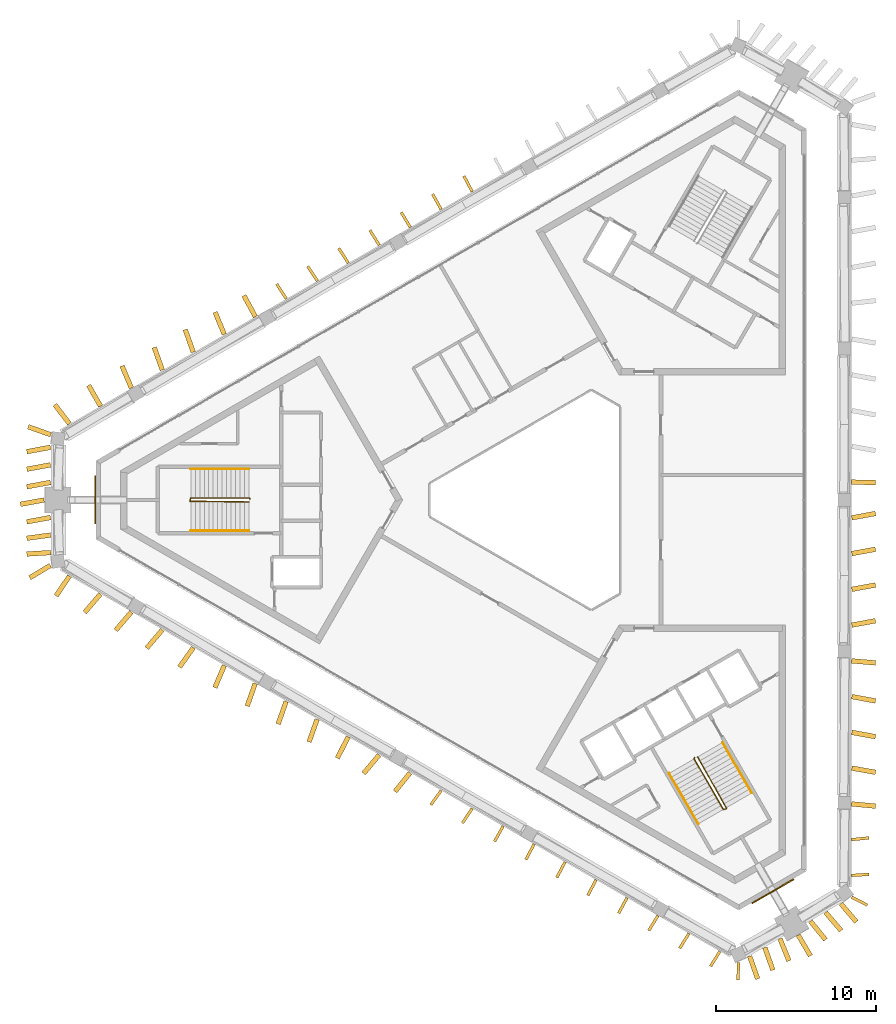
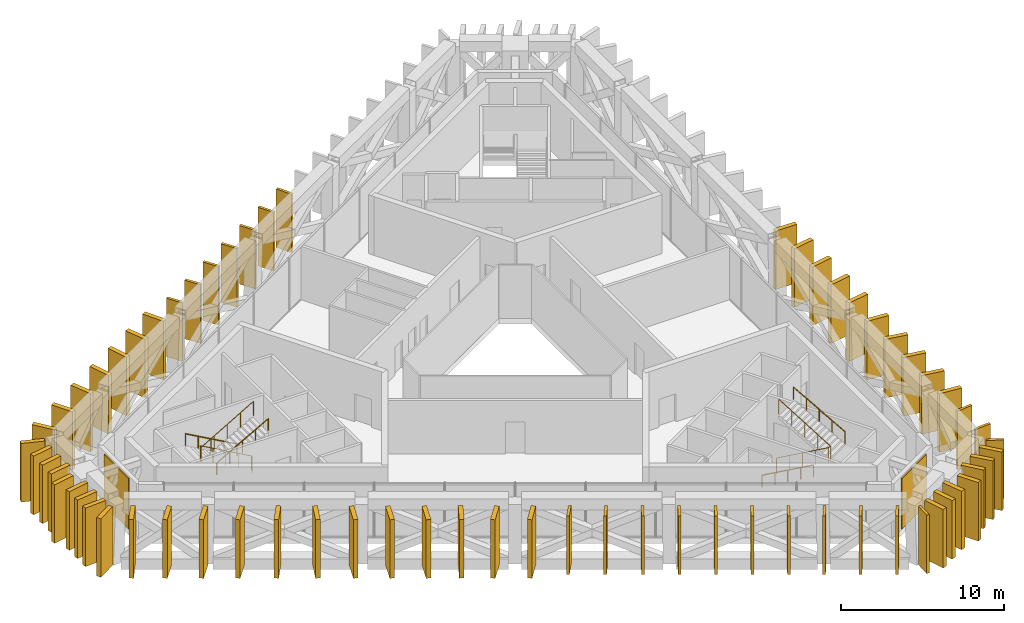
# One storey, part 11 of 12: 66 shading devices, 6 railings, 2 coverings.
"""IFC4 building model written with IfcOpenShell, lengths in metres."""

from ifc_helpers import new_model, si_unit, direction, frame, frame_2d, origin, origin_2d, place, context, subcontext, project, spatial, rectangle, circle, extrude, material, layer, layer_set, type_object, element, save


model = new_model("IFC4")

# Units and contexts
model_context = context("Model", 3, precision=1e-05, world=origin(), true_north=direction((0.0, 1.0)))
body_context = subcontext(model_context, "Body", "Model", "MODEL_VIEW")
ifc_project = project(units=[si_unit("LENGTHUNIT", "METRE"), si_unit("AREAUNIT", "SQUARE_METRE"), si_unit("VOLUMEUNIT", "CUBIC_METRE"), si_unit("PLANEANGLEUNIT", "RADIAN"), si_unit("MASSUNIT", "GRAM", prefix="KILO")], contexts=[model_context])

# Site, building, storey
site_placement = place(None, origin())
site = spatial("IfcSite", under=ifc_project, at=site_placement, CompositionType="ELEMENT")
building_placement = place(site_placement, origin())
building = spatial("IfcBuilding", under=site, at=building_placement, Name="Jabali Bay Hotel Tower and Convention Centre", CompositionType="ELEMENT")
storey_placement = place(building_placement, frame((0.0, 0.0, 300.39990234375)))
storey = spatial("IfcBuildingStorey", under=building, at=storey_placement, Name="L74", CompositionType="ELEMENT", Elevation=300.39990234375)

# Shading devices
ifc_material_1 = material(Name="Precast concrete C60", Category="concrete")
ifc_layer_1 = layer(ifc_material_1, 0.179931640625)
ifc_layer_set_1 = layer_set([ifc_layer_1], Name="Precast concrete C60")
shading_device_type_1 = type_object("IfcShadingDeviceType", Name="Precast fin 4380 x 1100", PredefinedType="USERDEFINED", material=ifc_layer_set_1)
for number, where, z_axis, x_axis, name in (
    (1, (93.99609375, 56.577880859375, 0.010009765625), (0.0, 0.0, 1.0), (0.99826901194, 0.058813092077, 0.0), "Fin L74 000"),
    (2, (94.0, 58.80859375, 0.010009765625), (0.0, 0.0, 1.0), (0.994911154458, 0.100756115129, 0.0), "Fin L74 001"),
    (3, (70.33251953125, 99.23779296875, 0.010009765625), (0.0, 0.0, 1.0), (-0.467867325032, 0.883798713604, 0.0), "Fin L74 037"),
):
    element("IfcShadingDevice", number, at=place(storey_placement, frame(where, z_axis=z_axis, x_axis=x_axis)), inside=storey, type_object=shading_device_type_1, Name=name, ObjectType="FIN", PredefinedType="USERDEFINED", context=body_context, shape_type="SweptSolid", body=[
        extrude(rectangle(XDim=1.10009765625, YDim=0.179931640625, at=frame_2d((0.550048828125, 0.0))), origin(), (0.0, 0.0, 1.0), 4.380126953125),
    ])
shading_device_1_placement = place(storey_placement, frame((68.401611328125, 98.12060546875, 0.010009765625), z_axis=(0.0, 0.0, 1.0), x_axis=(-0.488975058129, 0.872297765977, 0.0)))
element("IfcShadingDevice", 4, at=shading_device_1_placement, inside=storey, type_object=shading_device_type_1, Name="Fin L74 038", ObjectType="FIN", PredefinedType="USERDEFINED", context=body_context, shape_type="SweptSolid", body=[
    extrude(rectangle(XDim=1.099853515625, YDim=0.179931640625, at=frame_2d((0.5498046875, 0.0))), origin(), (0.0, 0.0, 1.0), 4.380126953125),
])
shading_device_2_placement = place(storey_placement, frame((66.4697265625, 97.00537109375, 0.010009765625), z_axis=(0.0, 0.0, 1.0), x_axis=(-0.512470707752, 0.858704706926, 0.0)))
element("IfcShadingDevice", 5, at=shading_device_2_placement, inside=storey, type_object=shading_device_type_1, Name="Fin L74 039", ObjectType="FIN", PredefinedType="USERDEFINED", context=body_context, shape_type="SweptSolid", body=[
    extrude(rectangle(XDim=1.10009765625, YDim=0.179931640625, at=frame_2d((0.550048828125, 0.0))), origin(), (0.0, 0.0, 1.0), 4.380126953125),
])
shading_device_3_placement = place(storey_placement, frame((64.537109375, 95.891845703125, 0.010009765625), z_axis=(0.0, 0.0, 1.0), x_axis=(-0.531175621664, 0.847261741701, 0.0)))
element("IfcShadingDevice", 6, at=shading_device_3_placement, inside=storey, type_object=shading_device_type_1, Name="Fin L74 040", ObjectType="FIN", PredefinedType="USERDEFINED", context=body_context, shape_type="SweptSolid", body=[
    extrude(rectangle(XDim=1.099853515625, YDim=0.179931640625, at=frame_2d((0.5498046875, 0.0))), origin(), (0.0, 0.0, 1.0), 4.380126953125),
])
for number, where, z_axis, x_axis, name in (
    (7, (62.604736328125, 94.777099609375, 0.010009765625), (0.0, 0.0, 1.0), (-0.539085185418, 0.842251246875, 0.0), "Fin L74 041"),
    (8, (60.672119140625, 93.6630859375, 0.010009765625), (0.0, 0.0, 1.0), (-0.553726719201, 0.832698457091, 0.0), "Fin L74 042"),
):
    element("IfcShadingDevice", number, at=place(storey_placement, frame(where, z_axis=z_axis, x_axis=x_axis)), inside=storey, type_object=shading_device_type_1, Name=name, ObjectType="FIN", PredefinedType="USERDEFINED", context=body_context, shape_type="SweptSolid", body=[
        extrude(rectangle(XDim=1.10009765625, YDim=0.179931640625, at=frame_2d((0.550048828125, 0.0))), origin(), (0.0, 0.0, 1.0), 4.380126953125),
    ])
for number, where, z_axis, x_axis, name in (
    (9, (58.74072265625, 92.547119140625, 0.010009765625), (0.0, 0.0, 1.0), (-0.545136576236, 0.838347250994, 0.0), "Fin L74 043"),
    (10, (68.397705078125, 61.87255859375, 0.010009765625), (0.0, 0.0, 1.0), (-0.584404121175, -0.811462767571, 0.0), "Fin L74 070"),
):
    element("IfcShadingDevice", number, at=place(storey_placement, frame(where, z_axis=z_axis, x_axis=x_axis)), inside=storey, type_object=shading_device_type_1, Name=name, ObjectType="FIN", PredefinedType="USERDEFINED", context=body_context, shape_type="SweptSolid", body=[
        extrude(rectangle(XDim=1.099853515625, YDim=0.179931640625, at=frame_2d((0.5498046875, 0.0))), origin(), (0.0, 0.0, 1.0), 4.380126953125),
    ])
shading_device_4_placement = place(storey_placement, frame((70.33154296875, 60.760498046875, 0.010009765625), z_axis=(0.0, 0.0, 1.0), x_axis=(-0.549979241991, -0.835178324299, 0.0)))
element("IfcShadingDevice", 11, at=shading_device_4_placement, inside=storey, type_object=shading_device_type_1, Name="Fin L74 071", ObjectType="FIN", PredefinedType="USERDEFINED", context=body_context, shape_type="SweptSolid", body=[
    extrude(rectangle(XDim=1.10009765625, YDim=0.179931640625, at=frame_2d((0.550048828125, 0.0))), origin(), (0.0, 0.0, 1.0), 4.380126953125),
])
for number, where, z_axis, x_axis, name in (
    (12, (72.265625, 59.64892578125, 0.010009765625), (0.0, 0.0, 1.0), (-0.492525269332, -0.870298143781, 0.0), "Fin L74 072"),
    (13, (74.196044921875, 58.53125, 0.010009765625), (0.0, 0.0, 1.0), (-0.466377581753, -0.884585751207, 0.0), "Fin L74 073"),
    (14, (76.1279296875, 57.416015625, 0.010009765625), (0.0, 0.0, 1.0), (-0.467428758702, -0.884030743548, 0.0), "Fin L74 074"),
):
    element("IfcShadingDevice", number, at=place(storey_placement, frame(where, z_axis=z_axis, x_axis=x_axis)), inside=storey, type_object=shading_device_type_1, Name=name, ObjectType="FIN", PredefinedType="USERDEFINED", context=body_context, shape_type="SweptSolid", body=[
        extrude(rectangle(XDim=1.099853515625, YDim=0.179931640625, at=frame_2d((0.5498046875, 0.0))), origin(), (0.0, 0.0, 1.0), 4.380126953125),
    ])
for number, where, z_axis, x_axis, name in (
    (15, (78.059814453125, 56.30078125, 0.010009765625), (0.0, 0.0, 1.0), (-0.467867325032, -0.883798713604, 0.0), "Fin L74 075"),
    (16, (79.991943359375, 55.185791015625, 0.010009765625), (0.0, 0.0, 1.0), (-0.472246045686, -0.881466773244, 0.0), "Fin L74 076"),
):
    element("IfcShadingDevice", number, at=place(storey_placement, frame(where, z_axis=z_axis, x_axis=x_axis)), inside=storey, type_object=shading_device_type_1, Name=name, ObjectType="FIN", PredefinedType="USERDEFINED", context=body_context, shape_type="SweptSolid", body=[
        extrude(rectangle(XDim=1.10009765625, YDim=0.179931640625, at=frame_2d((0.550048828125, 0.0))), origin(), (0.0, 0.0, 1.0), 4.380126953125),
    ])
shading_device_5_placement = place(storey_placement, frame((81.923828125, 54.07080078125, 0.010009765625), z_axis=(0.0, 0.0, 1.0), x_axis=(-0.524060272161, -0.851681179281, 0.0)))
element("IfcShadingDevice", 17, at=shading_device_5_placement, inside=storey, type_object=shading_device_type_1, Name="Fin L74 077", ObjectType="FIN", PredefinedType="USERDEFINED", context=body_context, shape_type="SweptSolid", body=[
    extrude(rectangle(XDim=1.099853515625, YDim=0.179931640625, at=frame_2d((0.5498046875, 0.0))), origin(), (0.0, 0.0, 1.0), 4.380126953125),
])
shading_device_6_placement = place(storey_placement, frame((83.855224609375, 52.954833984375, 0.010009765625), z_axis=(0.0, 0.0, 1.0), x_axis=(-0.531334935618, -0.847161841794, 0.0)))
element("IfcShadingDevice", 18, at=shading_device_6_placement, inside=storey, type_object=shading_device_type_1, Name="Fin L74 078", ObjectType="FIN", PredefinedType="USERDEFINED", context=body_context, shape_type="SweptSolid", body=[
    extrude(rectangle(XDim=1.10009765625, YDim=0.179931640625, at=frame_2d((0.550048828125, 0.0))), origin(), (0.0, 0.0, 1.0), 4.380126953125),
])
shading_device_7_placement = place(storey_placement, frame((85.787109375, 51.83935546875, 0.010009765625), z_axis=(0.0, 0.0, 1.0), x_axis=(-0.531434853814, -0.847099165477, 0.0)))
element("IfcShadingDevice", 19, at=shading_device_7_placement, inside=storey, type_object=shading_device_type_1, Name="Fin L74 079", ObjectType="FIN", PredefinedType="USERDEFINED", context=body_context, shape_type="SweptSolid", body=[
    extrude(rectangle(XDim=1.099853515625, YDim=0.179931640625, at=frame_2d((0.5498046875, 0.0))), origin(), (0.0, 0.0, 1.0), 4.380126953125),
])
shading_device_8_placement = place(storey_placement, frame((94.003173828125, 55.224365234375, 0.010009765625), z_axis=(0.0, 0.0, 1.0), x_axis=(0.889354850693, -0.457217617277, 0.0)))
element("IfcShadingDevice", 20, at=shading_device_8_placement, inside=storey, type_object=shading_device_type_1, Name="Fin L74 087", ObjectType="FIN", PredefinedType="USERDEFINED", context=body_context, shape_type="SweptSolid", body=[
    extrude(rectangle(XDim=1.10009765625, YDim=0.179931640625, at=frame_2d((0.550048828125, 0.0))), origin(), (0.0, 0.0, 1.0), 4.380126953125),
])
shading_device_9_placement = place(storey_placement, frame((86.95458984375, 51.156005859375, 0.010009765625), z_axis=(0.0, 0.0, 1.0), x_axis=(-0.036625787067, -0.999329050774, 0.0)))
element("IfcShadingDevice", 21, at=shading_device_9_placement, inside=storey, type_object=shading_device_type_1, Name="Fin L74 092", ObjectType="FIN", PredefinedType="USERDEFINED", context=body_context, shape_type="SweptSolid", body=[
    extrude(rectangle(XDim=1.099853515625, YDim=0.179931640625, at=frame_2d((0.5498046875, 0.0))), origin(), (0.0, 0.0, 1.0), 4.380126953125),
])
ifc_layer_2 = layer(ifc_material_1, 0.300048828125)
ifc_layer_set_2 = layer_set([ifc_layer_2], Name="Precast concrete C60")
shading_device_type_2 = type_object("IfcShadingDeviceType", Name="Precast fin 4380 x 1500", PredefinedType="USERDEFINED", material=ifc_layer_set_2)
for number, where, z_axis, x_axis, name in (
    (22, (94.0048828125, 61.039306640625, 0.010009765625), (0.0, 0.0, 1.0), (0.995550165952, -0.094233046606, 0.0), "Fin L74 002"),
    (23, (94.01708984375, 63.269775390625, 0.010009765625), (0.0, 0.0, 1.0), (0.984773725345, -0.173841047714, 0.0), "Fin L74 003"),
    (24, (94.017822265625, 65.50048828125, 0.010009765625), (0.0, 0.0, 1.0), (0.983781242745, -0.17937242381, 0.0), "Fin L74 004"),
    (25, (94.01806640625, 67.731201171875, 0.010009765625), (0.0, 0.0, 1.0), (0.983574304082, -0.180503707302, 0.0), "Fin L74 005"),
    (26, (94.003662109375, 69.9619140625, 0.010009765625), (0.0, 0.0, 1.0), (0.996343087239, -0.085442685528, 0.0), "Fin L74 006"),
    (27, (94.01806640625, 72.192626953125, 0.010009765625), (0.0, 0.0, 1.0), (0.98351646372, 0.180818598576, 0.0), "Fin L74 007"),
    (28, (94.01806640625, 74.42333984375, 0.010009765625), (0.0, 0.0, 1.0), (0.98351646372, 0.180818598576, 0.0), "Fin L74 008"),
    (29, (94.01806640625, 76.654052734375, 0.010009765625), (0.0, 0.0, 1.0), (0.983545395653, 0.180661159883, 0.0), "Fin L74 009"),
    (30, (94.01806640625, 78.884765625, 0.010009765625), (0.0, 0.0, 1.0), (0.983545395653, 0.180661159883, 0.0), "Fin L74 010"),
    (31, (93.993896484375, 81.115234375, 0.010009765625), (0.0, 0.0, 1.0), (0.999786362628, -0.02066952109, 0.0), "Fin L74 011"),
    (32, (56.809326171875, 91.43115234375, 0.010009765625), (0.0, 0.0, 1.0), (-0.47639849649, 0.879229476611, 0.0), "Fin L74 044"),
    (33, (54.86962890625, 90.3291015625, 0.010009765625), (0.0, 0.0, 1.0), (-0.382811769845, 0.923826362943, 0.0), "Fin L74 045"),
    (34, (52.93408203125, 89.22021484375, 0.010009765625), (0.0, 0.0, 1.0), (-0.33593425625, 0.941885436493, 0.0), "Fin L74 046"),
    (35, (51.002197265625, 88.10498046875, 0.010009765625), (0.0, 0.0, 1.0), (-0.335305076677, 0.942109603791, 0.0), "Fin L74 047"),
):
    element("IfcShadingDevice", number, at=place(storey_placement, frame(where, z_axis=z_axis, x_axis=x_axis)), inside=storey, type_object=shading_device_type_2, Name=name, ObjectType="FIN", PredefinedType="USERDEFINED", context=body_context, shape_type="SweptSolid", body=[
        extrude(rectangle(XDim=1.5, YDim=0.300048828125, at=frame_2d((0.75, 0.0))), origin(), (0.0, 0.0, 1.0), 4.380126953125),
    ])
shading_device_10_placement = place(storey_placement, frame((49.074951171875, 86.98193359375, 0.010009765625), z_axis=(0.0, 0.0, 1.0), x_axis=(-0.390754631965, 0.920494876465, 0.0)))
element("IfcShadingDevice", 36, at=shading_device_10_placement, inside=storey, type_object=shading_device_type_2, Name="Fin L74 048", ObjectType="FIN", PredefinedType="USERDEFINED", context=body_context, shape_type="SweptSolid", body=[
    extrude(rectangle(XDim=1.500244140625, YDim=0.300048828125, at=frame_2d((0.75, 0.0))), origin(), (0.0, 0.0, 1.0), 4.380126953125),
])
for number, where, z_axis, x_axis, name in (
    (37, (47.152099609375, 85.85107421875, 0.010009765625), (0.0, 0.0, 1.0), (-0.498731046508, 0.866756795906, 0.0), "Fin L74 049"),
    (38, (45.210693359375, 84.75244140625, 0.010009765625), (0.0, 0.0, 1.0), (-0.608585300791, 0.793488457169, 0.0), "Fin L74 050"),
    (39, (44.02734375, 83.2841796875, 0.010009765625), (0.0, 0.0, 1.0), (-0.98351646372, -0.180818598576, 0.0), "Fin L74 051"),
    (40, (44.02734375, 82.189453125, 0.010009765625), (0.0, 0.0, 1.0), (-0.98351646372, -0.180818598576, 0.0), "Fin L74 052"),
    (41, (44.02734375, 81.0947265625, 0.010009765625), (0.0, 0.0, 1.0), (-0.98351646372, -0.180818598576, 0.0), "Fin L74 053"),
    (42, (43.6279296875, 80.0, 0.010009765625), (0.0, 0.0, 1.0), (-0.98351646372, -0.180818598576, 0.0), "Fin L74 054"),
    (43, (44.02734375, 78.9052734375, 0.010009765625), (0.0, 0.0, 1.0), (-0.98351646372, -0.180818598576, 0.0), "Fin L74 055"),
    (44, (44.034423828125, 77.810546875, 0.010009765625), (0.0, 0.0, 1.0), (-0.991032083889, -0.133624132185, 0.0), "Fin L74 056"),
    (45, (44.045654296875, 76.7158203125, 0.010009765625), (0.0, 0.0, 1.0), (-0.998262566341, -0.058922395078, 0.0), "Fin L74 057"),
    (46, (45.215087890625, 75.25537109375, 0.010009765625), (0.0, 0.0, 1.0), (-0.559573484767, -0.828780740091, 0.0), "Fin L74 058"),
):
    element("IfcShadingDevice", number, at=place(storey_placement, frame(where, z_axis=z_axis, x_axis=x_axis)), inside=storey, type_object=shading_device_type_2, Name=name, ObjectType="FIN", PredefinedType="USERDEFINED", context=body_context, shape_type="SweptSolid", body=[
        extrude(rectangle(XDim=1.5, YDim=0.300048828125, at=frame_2d((0.75, 0.0))), origin(), (0.0, 0.0, 1.0), 4.380126953125),
    ])
shading_device_11_placement = place(storey_placement, frame((47.138671875, 74.125732421875, 0.010009765625), z_axis=(0.0, 0.0, 1.0), x_axis=(-0.64837563468, -0.761320587107, 0.0)))
element("IfcShadingDevice", 47, at=shading_device_11_placement, inside=storey, type_object=shading_device_type_2, Name="Fin L74 059", ObjectType="FIN", PredefinedType="USERDEFINED", context=body_context, shape_type="SweptSolid", body=[
    extrude(rectangle(XDim=1.500244140625, YDim=0.300048828125, at=frame_2d((0.75, 0.0))), origin(), (0.0, 0.0, 1.0), 4.380126953125),
])
for number, where, z_axis, x_axis, name in (
    (48, (49.070556640625, 73.010498046875, 0.010009765625), (0.0, 0.0, 1.0), (-0.648281291341, -0.761400924151, 0.0), "Fin L74 060"),
    (49, (51.002197265625, 71.89501953125, 0.010009765625), (0.0, 0.0, 1.0), (-0.648281291341, -0.761400924151, 0.0), "Fin L74 061"),
    (50, (52.940673828125, 70.791015625, 0.010009765625), (0.0, 0.0, 1.0), (-0.578139266527, -0.815938103351, 0.0), "Fin L74 062"),
):
    element("IfcShadingDevice", number, at=place(storey_placement, frame(where, z_axis=z_axis, x_axis=x_axis)), inside=storey, type_object=shading_device_type_2, Name=name, ObjectType="FIN", PredefinedType="USERDEFINED", context=body_context, shape_type="SweptSolid", body=[
        extrude(rectangle(XDim=1.5, YDim=0.300048828125, at=frame_2d((0.75, 0.0))), origin(), (0.0, 0.0, 1.0), 4.380126953125),
    ])
shading_device_12_placement = place(storey_placement, frame((54.870361328125, 69.671875, 0.010009765625), z_axis=(0.0, 0.0, 1.0), x_axis=(-0.391009650014, -0.920386578344, 0.0)))
element("IfcShadingDevice", 51, at=shading_device_12_placement, inside=storey, type_object=shading_device_type_2, Name="Fin L74 063", ObjectType="FIN", PredefinedType="USERDEFINED", context=body_context, shape_type="SweptSolid", body=[
    extrude(rectangle(XDim=1.499755859375, YDim=0.300048828125, at=frame_2d((0.75, 0.0))), origin(), (0.0, 0.0, 1.0), 4.380126953125),
])
shading_device_13_placement = place(storey_placement, frame((56.7978515625, 68.549072265625, 0.010009765625), z_axis=(0.0, 0.0, 1.0), x_axis=(-0.335253666146, -0.94212789967, 0.0)))
element("IfcShadingDevice", 52, at=shading_device_13_placement, inside=storey, type_object=shading_device_type_2, Name="Fin L74 064", ObjectType="FIN", PredefinedType="USERDEFINED", context=body_context, shape_type="SweptSolid", body=[
    extrude(rectangle(XDim=1.500244140625, YDim=0.300048828125, at=frame_2d((0.75, 0.0))), origin(), (0.0, 0.0, 1.0), 4.380126953125),
])
shading_device_14_placement = place(storey_placement, frame((58.7294921875, 67.43359375, 0.010009765625), z_axis=(0.0, 0.0, 1.0), x_axis=(-0.335160595484, -0.942161013434, 0.0)))
element("IfcShadingDevice", 53, at=shading_device_14_placement, inside=storey, type_object=shading_device_type_2, Name="Fin L74 065", ObjectType="FIN", PredefinedType="USERDEFINED", context=body_context, shape_type="SweptSolid", body=[
    extrude(rectangle(XDim=1.499755859375, YDim=0.300048828125, at=frame_2d((0.75, 0.0))), origin(), (0.0, 0.0, 1.0), 4.380126953125),
])
for number, where, z_axis, x_axis, name in (
    (54, (60.661376953125, 66.318359375, 0.010009765625), (0.0, 0.0, 1.0), (-0.335449534217, -0.942058177606, 0.0), "Fin L74 066"),
    (55, (62.603271484375, 65.220458984375, 0.010009765625), (0.0, 0.0, 1.0), (-0.45999405328, -0.887921995981, 0.0), "Fin L74 067"),
):
    element("IfcShadingDevice", number, at=place(storey_placement, frame(where, z_axis=z_axis, x_axis=x_axis)), inside=storey, type_object=shading_device_type_2, Name=name, ObjectType="FIN", PredefinedType="USERDEFINED", context=body_context, shape_type="SweptSolid", body=[
        extrude(rectangle(XDim=1.5, YDim=0.300048828125, at=frame_2d((0.75, 0.0))), origin(), (0.0, 0.0, 1.0), 4.380126953125),
    ])
shading_device_15_placement = place(storey_placement, frame((64.525634765625, 64.088623046875, 0.010009765625), z_axis=(0.0, 0.0, 1.0), x_axis=(-0.642821801336, -0.766015751618, 0.0)))
element("IfcShadingDevice", 56, at=shading_device_15_placement, inside=storey, type_object=shading_device_type_2, Name="Fin L74 068", ObjectType="FIN", PredefinedType="USERDEFINED", context=body_context, shape_type="SweptSolid", body=[
    extrude(rectangle(XDim=1.500244140625, YDim=0.300048828125, at=frame_2d((0.75, 0.0))), origin(), (0.0, 0.0, 1.0), 4.380126953125),
])
shading_device_16_placement = place(storey_placement, frame((66.459228515625, 62.97607421875, 0.010009765625), z_axis=(0.0, 0.0, 1.0), x_axis=(-0.625012583583, -0.780614674704, 0.0)))
element("IfcShadingDevice", 57, at=shading_device_16_placement, inside=storey, type_object=shading_device_type_2, Name="Fin L74 069", ObjectType="FIN", PredefinedType="USERDEFINED", context=body_context, shape_type="SweptSolid", body=[
    extrude(rectangle(XDim=1.5, YDim=0.300048828125, at=frame_2d((0.75, 0.0))), origin(), (0.0, 0.0, 1.0), 4.380126953125),
])
shading_device_17_placement = place(storey_placement, frame((87.64208984375, 51.534912109375, 0.010009765625), z_axis=(0.0, 0.0, 1.0), x_axis=(0.335253666146, -0.94212789967, 0.0)))
element("IfcShadingDevice", 58, at=shading_device_17_placement, inside=storey, type_object=shading_device_type_2, Name="Fin L74 080", ObjectType="FIN", PredefinedType="USERDEFINED", context=body_context, shape_type="SweptSolid", body=[
    extrude(rectangle(XDim=1.500244140625, YDim=0.300048828125, at=frame_2d((0.75, 0.0))), origin(), (0.0, 0.0, 1.0), 4.380126953125),
])
for number, where, z_axis, x_axis, name in (
    (59, (88.59033203125, 52.082275390625, 0.010009765625), (0.0, 0.0, 1.0), (0.335109201498, -0.942179294546, 0.0), "Fin L74 081"),
    (60, (89.53515625, 52.634765625, 0.010009765625), (0.0, 0.0, 1.0), (0.373550544396, -0.927609826803, 0.0), "Fin L74 082"),
    (61, (90.673095703125, 52.853271484375, 0.010009765625), (0.0, 0.0, 1.0), (0.507489506623, -0.861657937158, 0.0), "Fin L74 083"),
    (62, (91.4326171875, 53.727294921875, 0.010009765625), (0.0, 0.0, 1.0), (0.629427638622, -0.777059101831, 0.0), "Fin L74 084"),
    (63, (92.38232421875, 54.271484375, 0.010009765625), (0.0, 0.0, 1.0), (0.648455975435, -0.76125215791, 0.0), "Fin L74 085"),
    (64, (93.330322265625, 54.81884765625, 0.010009765625), (0.0, 0.0, 1.0), (0.648455975435, -0.76125215791, 0.0), "Fin L74 086"),
):
    element("IfcShadingDevice", number, at=place(storey_placement, frame(where, z_axis=z_axis, x_axis=x_axis)), inside=storey, type_object=shading_device_type_2, Name=name, ObjectType="FIN", PredefinedType="USERDEFINED", context=body_context, shape_type="SweptSolid", body=[
        extrude(rectangle(XDim=1.5, YDim=0.300048828125, at=frame_2d((0.75, 0.0))), origin(), (0.0, 0.0, 1.0), 4.380126953125),
    ])
for number, where, z_axis, x_axis, name in (
    (65, (44.04833984375, 84.06591796875, 0.010009765625), (0.0, 0.0, 1.0), (-0.942161013434, 0.335160595484, 0.0), "Fin L74 090"),
    (66, (44.021728515625, 75.918701171875, 0.010009765625), (0.0, 0.0, 1.0), (-0.857176787658, -0.515022285634, 0.0), "Fin L74 091"),
):
    element("IfcShadingDevice", number, at=place(storey_placement, frame(where, z_axis=z_axis, x_axis=x_axis)), inside=storey, type_object=shading_device_type_2, Name=name, ObjectType="FIN", PredefinedType="USERDEFINED", context=body_context, shape_type="SweptSolid", body=[
        extrude(rectangle(XDim=1.499755859375, YDim=0.300048828125, at=frame_2d((0.75, 0.0))), origin(), (0.0, 0.0, 1.0), 4.380126953125),
    ])

# Coverings
ifc_material_2 = material(Name="Precast concrete C40/50", Category="concrete")
ifc_layer_3 = layer(ifc_material_2, 0.080078125)
ifc_layer_set_3 = layer_set([ifc_layer_3], Name="Precast concrete C40/50")
covering_type = type_object("IfcCoveringType", Name="Relief panel 3000 x 3800", PredefinedType="CLADDING", material=ifc_layer_set_3)
for number, where, z_axis, x_axis, name in (
    (67, (46.814453125, 80.0, 0.10009765625), (0.0, 0.0, 1.0), (0.0, 1.0, 0.0), "Relief panel L74"),
    (68, (89.0927734375, 55.590576171875, 0.10009765625), (0.0, 0.0, 1.0), (-0.866025424371, -0.499999964344, 0.0), "Relief panel L74"),
):
    element("IfcCovering", number, at=place(storey_placement, frame(where, z_axis=z_axis, x_axis=x_axis)), inside=storey, type_object=covering_type, Name=name, PredefinedType="CLADDING", context=body_context, shape_type="SweptSolid", body=[
        extrude(rectangle(XDim=3.0, YDim=0.080078125, at=origin_2d()), origin(), (0.0, 0.0, 1.0), 3.800048828125),
    ])

# Railings
ifc_material_3 = material(Name="Steel Q355B", Category="steel")
railing_type_1 = type_object("IfcRailingType", Name="Stair guard 1100", PredefinedType="GUARDRAIL", material=ifc_material_3)
railing_1_placement = place(storey_placement, frame((56.469970703125, 80.074951171875, 0.0)))
element("IfcRailing", 69, at=railing_1_placement, inside=storey, type_object=railing_type_1, Name="L74 ST1 stair guard 1", PredefinedType="GUARDRAIL", context=body_context, shape_type="SweptSolid", body=[
    extrude(circle(Radius=0.02392578125, at=origin_2d()), frame((0.0, 0.0, 1.076171875), z_axis=(-0.290266377826, 0.290266377826, 0.911861206439), x_axis=(-0.707106781187, -0.707106781187, 0.0)), (0.0, 0.0, 1.0), 0.17236328125),
    extrude(circle(Radius=0.02392578125, at=origin_2d()), frame((-0.050048828125, 0.050048828125, 1.2333984375), z_axis=(-0.872032840091, 0.0, 0.489447367756), x_axis=(0.0, -1.0, 0.0)), (0.0, 0.0, 1.0), 4.174072265625),
    extrude(circle(Radius=0.02392578125, at=origin_2d()), frame((-3.68994140625, 0.050048828125, 3.2763671875), z_axis=(-0.242814311512, -0.970072785993, 0.0), x_axis=(0.970072785993, -0.242814311512, 0.0)), (0.0, 0.0, 1.0), 0.2060546875),
    extrude(circle(Radius=0.02392578125, at=origin_2d()), frame((-3.739990234375, -0.14990234375, 3.2763671875), z_axis=(0.858870423873, -0.011649360652, 0.512060433341), x_axis=(0.013562335953, 0.999908027292, 0.0)), (0.0, 0.0, 1.0), 4.29638671875),
    extrude(circle(Radius=0.02099609375, at=origin_2d()), origin(), (0.0, 0.0, 1.0), 1.052001953125),
    extrude(circle(Radius=0.02099609375, at=origin_2d()), frame((-0.050048828125, 0.050048828125, 0.1572265625)), (0.0, 0.0, 1.0), 1.052001953125),
    extrude(circle(Radius=0.02099609375, at=origin_2d()), frame((-0.9599609375, 0.050048828125, 0.66796875)), (0.0, 0.0, 1.0), 1.052001953125),
    extrude(circle(Radius=0.02099609375, at=origin_2d()), frame((-1.8701171875, 0.050048828125, 1.1787109375)), (0.0, 0.0, 1.0), 1.052001953125),
    extrude(circle(Radius=0.02099609375, at=origin_2d()), frame((-2.780029296875, 0.050048828125, 1.689453125)), (0.0, 0.0, 1.0), 1.052001953125),
    extrude(circle(Radius=0.02099609375, at=origin_2d()), frame((-3.68994140625, 0.050048828125, 2.2001953125)), (0.0, 0.0, 1.0), 1.052001953125),
    extrude(circle(Radius=0.02099609375, at=origin_2d()), frame((-3.739990234375, -0.14990234375, 2.2001953125)), (0.0, 0.0, 1.0), 1.052001953125),
    extrude(circle(Radius=0.02099609375, at=origin_2d()), frame((-2.8173828125, -0.162353515625, 2.750244140625)), (0.0, 0.0, 1.0), 1.052001953125),
    extrude(circle(Radius=0.02099609375, at=origin_2d()), frame((-1.89501953125, -0.1748046875, 3.30029296875)), (0.0, 0.0, 1.0), 1.052001953125),
    extrude(circle(Radius=0.02099609375, at=origin_2d()), frame((-0.97265625, -0.1875, 3.85009765625)), (0.0, 0.0, 1.0), 1.052001953125),
    extrude(circle(Radius=0.02099609375, at=origin_2d()), frame((-0.050048828125, -0.199951171875, 4.400146484375)), (0.0, 0.0, 1.0), 1.052001953125),
])
railing_2_placement = place(storey_placement, frame((84.199951171875, 63.9150390625, 0.0)))
element("IfcRailing", 70, at=railing_2_placement, inside=storey, type_object=railing_type_1, Name="L74 ST3 stair guard 1", PredefinedType="GUARDRAIL", context=body_context, shape_type="SweptSolid", body=[
    extrude(circle(Radius=0.02392578125, at=origin_2d()), frame((0.0, 0.0, 1.076171875), z_axis=(-0.106197677715, -0.396471330136, 0.911884059312), x_axis=(0.965948051503, -0.258736085224, 0.0)), (0.0, 0.0, 1.0), 0.17236328125),
    extrude(circle(Radius=0.02392578125, at=origin_2d()), frame((-0.018310546875, -0.068359375, 1.2333984375), z_axis=(0.436031875999, -0.75520369992, 0.489431889787), x_axis=(0.866018046521, 0.500012742938, 0.0)), (0.0, 0.0, 1.0), 4.174072265625),
    extrude(circle(Radius=0.02392578125, at=origin_2d()), frame((1.8017578125, -3.220703125, 3.2763671875), z_axis=(0.96121063429, 0.275815366736, 0.0), x_axis=(-0.275815366736, 0.96121063429, 0.0)), (0.0, 0.0, 1.0), 0.206298828125),
    extrude(circle(Radius=0.02392578125, at=origin_2d()), frame((2.0, -3.163818359375, 3.2763671875), z_axis=(-0.419382495405, 0.749603590364, 0.512067163428), x_axis=(-0.872702246529, -0.488252792008, 0.0)), (0.0, 0.0, 1.0), 4.296142578125),
    extrude(circle(Radius=0.02099609375, at=origin_2d()), origin(), (0.0, 0.0, 1.0), 1.052001953125),
    extrude(circle(Radius=0.02099609375, at=origin_2d()), frame((-0.018310546875, -0.068359375, 0.1572265625)), (0.0, 0.0, 1.0), 1.052001953125),
    extrude(circle(Radius=0.02099609375, at=origin_2d()), frame((0.436767578125, -0.8564453125, 0.66796875)), (0.0, 0.0, 1.0), 1.052001953125),
    extrude(circle(Radius=0.02099609375, at=origin_2d()), frame((0.8916015625, -1.64453125, 1.1787109375)), (0.0, 0.0, 1.0), 1.052001953125),
    extrude(circle(Radius=0.02099609375, at=origin_2d()), frame((1.3466796875, -2.4326171875, 1.689453125)), (0.0, 0.0, 1.0), 1.052001953125),
    extrude(circle(Radius=0.02099609375, at=origin_2d()), frame((1.8017578125, -3.220703125, 2.2001953125)), (0.0, 0.0, 1.0), 1.052001953125),
    extrude(circle(Radius=0.02099609375, at=origin_2d()), frame((2.0, -3.163818359375, 2.2001953125)), (0.0, 0.0, 1.0), 1.052001953125),
    extrude(circle(Radius=0.02099609375, at=origin_2d()), frame((1.549560546875, -2.358642578125, 2.750244140625)), (0.0, 0.0, 1.0), 1.052001953125),
    extrude(circle(Radius=0.02099609375, at=origin_2d()), frame((1.09912109375, -1.5537109375, 3.30029296875)), (0.0, 0.0, 1.0), 1.052001953125),
    extrude(circle(Radius=0.02099609375, at=origin_2d()), frame((0.648681640625, -0.74853515625, 3.85009765625)), (0.0, 0.0, 1.0), 1.052001953125),
    extrude(circle(Radius=0.02099609375, at=origin_2d()), frame((0.1982421875, 0.056640625, 4.400146484375)), (0.0, 0.0, 1.0), 1.052001953125),
])
railing_type_2 = type_object("IfcRailingType", Name="Stair handrail 900", PredefinedType="HANDRAIL", material=ifc_material_3)
railing_3_placement = place(storey_placement, frame((56.419921875, 81.925048828125, 0.1572265625)))
element("IfcRailing", 71, at=railing_3_placement, inside=storey, type_object=railing_type_2, Name="L74 ST1 stair handrail 1", PredefinedType="HANDRAIL", context=body_context, shape_type="SweptSolid", body=[
    extrude(circle(Radius=0.02392578125, at=origin_2d()), frame((0.0, 0.0, 0.8759765625), z_axis=(-0.872032840091, 0.0, 0.489447367756), x_axis=(0.0, -1.0, 0.0)), (0.0, 0.0, 1.0), 4.174072265625),
    extrude(circle(Radius=0.02099609375, at=origin_2d()), origin(), (0.0, 0.0, 1.0), 0.851806640625),
    extrude(circle(Radius=0.02099609375, at=origin_2d()), frame((-0.909912109375, 0.0, 0.5107421875)), (0.0, 0.0, 1.0), 0.851806640625),
    extrude(circle(Radius=0.02099609375, at=origin_2d()), frame((-1.81982421875, 0.0, 1.021484375)), (0.0, 0.0, 1.0), 0.851806640625),
    extrude(circle(Radius=0.02099609375, at=origin_2d()), frame((-2.72998046875, 0.0, 1.5322265625)), (0.0, 0.0, 1.0), 0.851806640625),
    extrude(circle(Radius=0.02099609375, at=origin_2d()), frame((-3.639892578125, 0.0, 2.04296875)), (0.0, 0.0, 1.0), 0.851806640625),
])
railing_4_placement = place(storey_placement, frame((52.780029296875, 78.074951171875, 2.357177734375)))
element("IfcRailing", 72, at=railing_4_placement, inside=storey, type_object=railing_type_2, Name="L74 ST1 stair handrail 2", PredefinedType="HANDRAIL", context=body_context, shape_type="SweptSolid", body=[
    extrude(circle(Radius=0.02392578125, at=origin_2d()), frame((0.0, 0.0, 0.8759765625), z_axis=(0.872032840091, 0.0, 0.489447367756), x_axis=(0.0, 1.0, 0.0)), (0.0, 0.0, 1.0), 4.174072265625),
    extrude(circle(Radius=0.02099609375, at=origin_2d()), origin(), (0.0, 0.0, 1.0), 0.851806640625),
    extrude(circle(Radius=0.02099609375, at=origin_2d()), frame((0.909912109375, 0.0, 0.5107421875)), (0.0, 0.0, 1.0), 0.851806640625),
    extrude(circle(Radius=0.02099609375, at=origin_2d()), frame((1.81982421875, 0.0, 1.021484375)), (0.0, 0.0, 1.0), 0.851806640625),
    extrude(circle(Radius=0.02099609375, at=origin_2d()), frame((2.72998046875, 0.0, 1.5322265625)), (0.0, 0.0, 1.0), 0.851806640625),
    extrude(circle(Radius=0.02099609375, at=origin_2d()), frame((3.639892578125, 0.0, 2.04296875)), (0.0, 0.0, 1.0), 0.851806640625),
])
railing_5_placement = place(storey_placement, frame((82.622802734375, 62.94677734375, 0.1572265625)))
element("IfcRailing", 73, at=railing_5_placement, inside=storey, type_object=railing_type_2, Name="L74 ST3 stair handrail 1", PredefinedType="HANDRAIL", context=body_context, shape_type="SweptSolid", body=[
    extrude(circle(Radius=0.02392578125, at=origin_2d()), frame((0.0, 0.0, 0.8759765625), z_axis=(0.436031875999, -0.75520369992, 0.489431889787), x_axis=(0.866018046521, 0.500012742938, 0.0)), (0.0, 0.0, 1.0), 4.174072265625),
    extrude(circle(Radius=0.02099609375, at=origin_2d()), origin(), (0.0, 0.0, 1.0), 0.851806640625),
    extrude(circle(Radius=0.02099609375, at=origin_2d()), frame((0.455078125, -0.7880859375, 0.5107421875)), (0.0, 0.0, 1.0), 0.851806640625),
    extrude(circle(Radius=0.02099609375, at=origin_2d()), frame((0.91015625, -1.576171875, 1.021484375)), (0.0, 0.0, 1.0), 0.851806640625),
    extrude(circle(Radius=0.02099609375, at=origin_2d()), frame((1.364990234375, -2.3642578125, 1.5322265625)), (0.0, 0.0, 1.0), 0.851806640625),
    extrude(circle(Radius=0.02099609375, at=origin_2d()), frame((1.820068359375, -3.15234375, 2.04296875)), (0.0, 0.0, 1.0), 0.851806640625),
])
railing_6_placement = place(storey_placement, frame((87.777099609375, 61.719482421875, 2.357177734375)))
element("IfcRailing", 74, at=railing_6_placement, inside=storey, type_object=railing_type_2, Name="L74 ST3 stair handrail 2", PredefinedType="HANDRAIL", context=body_context, shape_type="SweptSolid", body=[
    extrude(circle(Radius=0.02392578125, at=origin_2d()), frame((0.0, 0.0, 0.8759765625), z_axis=(-0.436031875999, 0.75520369992, 0.489431889787), x_axis=(-0.866018046521, -0.500012742938, 0.0)), (0.0, 0.0, 1.0), 4.174072265625),
    extrude(circle(Radius=0.02099609375, at=origin_2d()), origin(), (0.0, 0.0, 1.0), 0.851806640625),
    extrude(circle(Radius=0.02099609375, at=origin_2d()), frame((-0.455078125, 0.7880859375, 0.5107421875)), (0.0, 0.0, 1.0), 0.851806640625),
    extrude(circle(Radius=0.02099609375, at=origin_2d()), frame((-0.91015625, 1.576171875, 1.021484375)), (0.0, 0.0, 1.0), 0.851806640625),
    extrude(circle(Radius=0.02099609375, at=origin_2d()), frame((-1.364990234375, 2.3642578125, 1.5322265625)), (0.0, 0.0, 1.0), 0.851806640625),
    extrude(circle(Radius=0.02099609375, at=origin_2d()), frame((-1.820068359375, 3.15234375, 2.04296875)), (0.0, 0.0, 1.0), 0.851806640625),
])

save(model, "model.ifc")
